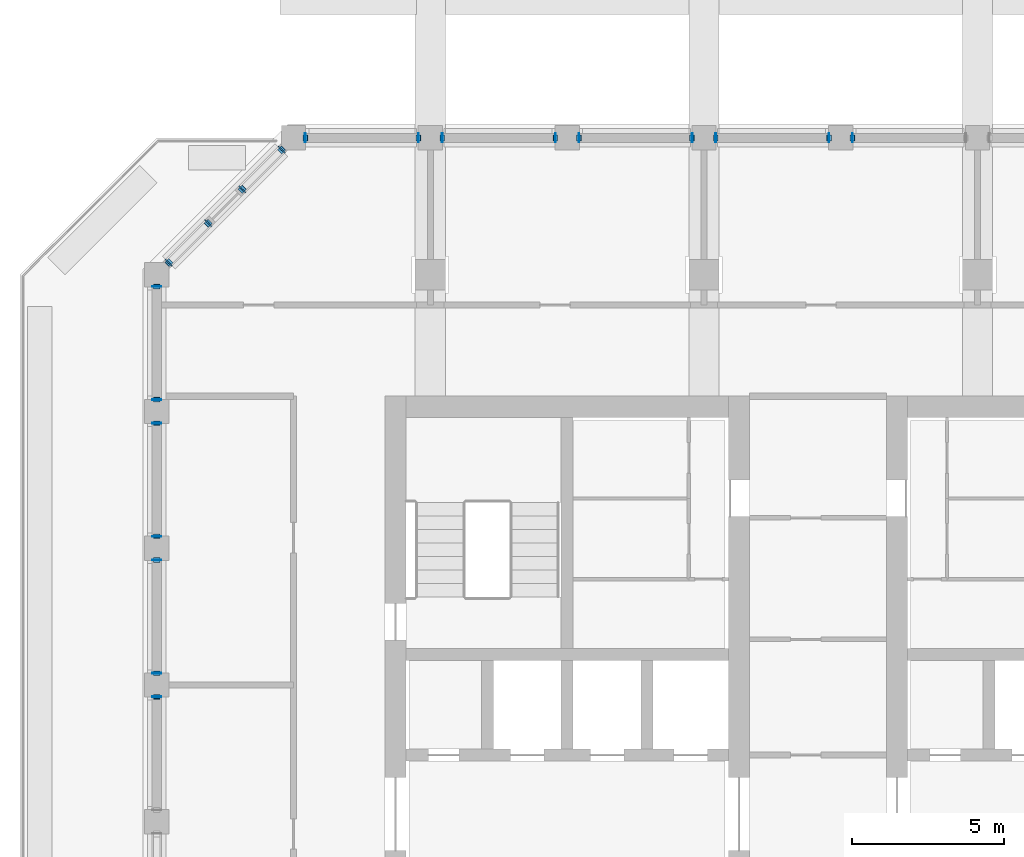
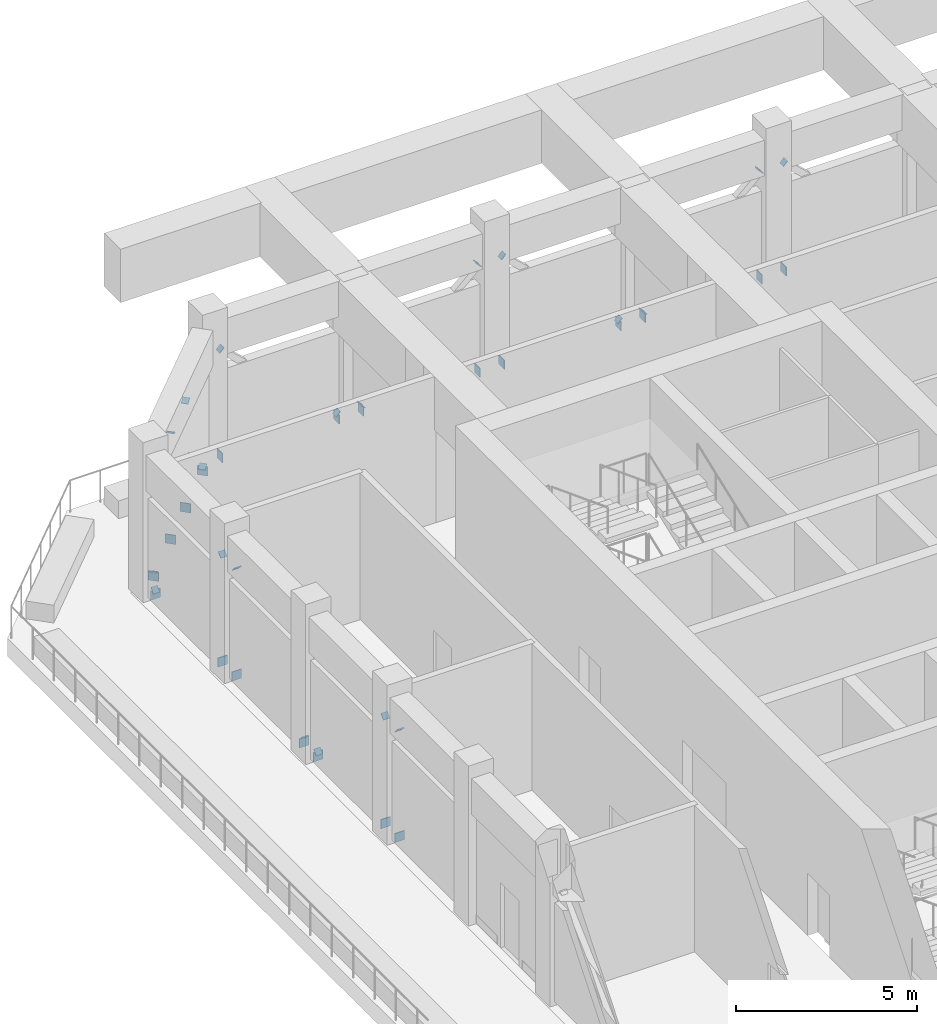
# One storey, part 12 of 19: 40 discrete accessories.
"""IFC4 building model written with IfcOpenShell, lengths in metres."""

import ifcopenshell
import ifcopenshell.guid

model = None  # the IFC model being written
_history = None  # IfcOwnerHistory: only IFC2X3 demands one
_inside = {}  # id of a spatial element -> (the spatial element, [elements in it])
_under = {}  # id of a project, library or spatial element -> (it, [spatial elements below it])
_declared = {}  # id of a project -> (the project, [libraries it declares])
_typed = {}  # id of a type object -> (the type object, [elements of that type])
_made_of = {}  # id of a material, layer set ... -> (it, [elements and type objects made of it])


def new_model(schema):
    """Start an empty IFC model of exactly this schema.

    Asked for "IFC4X3", IfcOpenShell would pick the latest addendum, in which some entities
    have other attributes; the version numbers below select the first issue.
    IFC2X3 requires an IfcOwnerHistory on every rooted entity: one is made here for all.
    """
    global model, _history
    if schema == "IFC4X3":
        model = ifcopenshell.file(schema_version=(4, 3, 0, 0))
    else:
        model = ifcopenshell.file(schema=schema)
    _inside.clear()
    _under.clear()
    _declared.clear()
    _typed.clear()
    _made_of.clear()
    _history = None
    if model.schema == "IFC2X3":
        org = make("IfcOrganization", Name="unknown")
        user = make(
            "IfcPersonAndOrganization",
            ThePerson=make("IfcPerson", FamilyName="unknown"),
            TheOrganization=org,
        )
        app = make(
            "IfcApplication",
            ApplicationDeveloper=org,
            Version="unknown",
            ApplicationFullName="unknown",
            ApplicationIdentifier="unknown",
        )
        _history = make(
            "IfcOwnerHistory",
            OwningUser=user,
            OwningApplication=app,
            ChangeAction="ADDED",
            CreationDate=0,
        )
    return model


def make(cls, **values):
    """One entity of the class cls with the attributes given. An attribute that is None is left unset."""
    return model.create_entity(
        cls, **{name: value for name, value in values.items() if value is not None}
    )


def rooted(cls, **values):
    """An entity with a GlobalId (a new one), such as an element, a storey or a relation."""
    return make(cls, GlobalId=ifcopenshell.guid.new(), OwnerHistory=_history, **values)


def si_unit(unit_type, name, prefix=None):
    """IfcSIUnit, for example si_unit("LENGTHUNIT", "METRE", prefix="MILLI")."""
    return make("IfcSIUnit", UnitType=unit_type, Prefix=prefix, Name=name)


def assignment(units):
    """IfcUnitAssignment: the units of a project."""
    return None if units is None else make("IfcUnitAssignment", Units=units)


def point(xyz):
    """IfcCartesianPoint."""
    return None if xyz is None else make("IfcCartesianPoint", Coordinates=xyz)


def direction(xyz):
    """IfcDirection."""
    return None if xyz is None else make("IfcDirection", DirectionRatios=xyz)


def frame(location, z_axis=None, x_axis=None):
    """IfcAxis2Placement3D, a coordinate frame: its origin and axes. An axis left out is left unset."""
    return make(
        "IfcAxis2Placement3D",
        Location=point(location),
        Axis=direction(z_axis),
        RefDirection=direction(x_axis),
    )


def frame_2d(location, x_axis=None):
    """IfcAxis2Placement2D, a coordinate frame in the plane: its origin and x axis."""
    return make(
        "IfcAxis2Placement2D", Location=point(location), RefDirection=direction(x_axis)
    )


def origin():
    """The frame at (0, 0, 0) with its axes left unset."""
    return frame((0.0, 0.0, 0.0))


def origin_2d():
    """The frame at (0, 0) in the plane with its x axis left unset."""
    return frame_2d((0.0, 0.0))


def place(relative_to, where):
    """IfcLocalPlacement: puts the frame where relative to a parent placement (None: the world)."""
    return make(
        "IfcLocalPlacement", PlacementRelTo=relative_to, RelativePlacement=where
    )


def context(
    kind, dimensions, precision=None, world=None, true_north=None, identifier=None
):
    """IfcGeometricRepresentationContext, for example the 3D "Model" context."""
    return make(
        "IfcGeometricRepresentationContext",
        ContextIdentifier=identifier,
        ContextType=kind,
        CoordinateSpaceDimension=dimensions,
        Precision=precision,
        WorldCoordinateSystem=world,
        TrueNorth=true_north,
    )


def subcontext(parent, identifier, kind, view, scale=None):
    """IfcGeometricRepresentationSubContext, for example "Body" below "Model"."""
    return make(
        "IfcGeometricRepresentationSubContext",
        ContextIdentifier=identifier,
        ContextType=kind,
        ParentContext=parent,
        TargetScale=scale,
        TargetView=view,
    )


def project(units=None, contexts=None):
    """IfcProject with its units and contexts."""
    return rooted(
        "IfcProject",
        Name="project",
        RepresentationContexts=contexts,
        UnitsInContext=assignment(units),
    )


def spatial(cls, under=None, at=None, **own):
    """A site, building, storey or space (cls), placed at a placement, below another one or the project."""
    s = rooted(cls, ObjectPlacement=at, **own)
    if under is not None:
        _under.setdefault(under.id(), (under, []))[1].append(s)
    return s


def profile(cls, at=None, kind="AREA", **sizes):
    """A parametric profile (cls). Its sizes go by their IFC names, for example OverallWidth=200.0."""
    return make(cls, ProfileType=kind, Position=at, **sizes)


def rectangle(**sizes):
    """IfcRectangleProfileDef."""
    return profile("IfcRectangleProfileDef", **sizes)


def extrude(swept, where, along, depth):
    """IfcExtrudedAreaSolid: the profile swept, set in the frame where, extruded along a direction by depth."""
    return make(
        "IfcExtrudedAreaSolid",
        SweptArea=swept,
        Position=where,
        ExtrudedDirection=direction(along),
        Depth=depth,
    )


def shape(context_of_items, identifier, shape_type, items):
    """IfcShapeRepresentation: the items that make up one representation, for example the "Body"."""
    return make(
        "IfcShapeRepresentation",
        ContextOfItems=context_of_items,
        RepresentationIdentifier=identifier,
        RepresentationType=shape_type,
        Items=items,
    )


def material(Name=None, Category=None):
    """IfcMaterial."""
    return make("IfcMaterial", Name=Name, Category=Category)


def material_profile(
    of_material, cross_section, Name=None, Category=None, Priority=None
):
    """IfcMaterialProfile: a cross section and its material."""
    return make(
        "IfcMaterialProfile",
        Name=Name,
        Material=of_material,
        Profile=cross_section,
        Priority=Priority,
        Category=Category,
    )


def profile_set(profiles, Name=None, composite=None):
    """IfcMaterialProfileSet."""
    return make(
        "IfcMaterialProfileSet",
        Name=Name,
        MaterialProfiles=profiles,
        CompositeProfile=composite,
    )


def made_of(thing, what):
    """Note that an element or type object is made of a material, layer set ...; save() writes the relation."""
    if what is not None:
        _made_of.setdefault(what.id(), (what, []))[1].append(thing)
    return thing


def type_object(cls, material=None, **own):
    """A type object (cls), such as IfcWallType, which elements share."""
    return made_of(rooted(cls, **own), material)


def element(
    cls,
    number,
    at=None,
    inside=None,
    cuts=None,
    type_object=None,
    material=None,
    context=None,
    identifier="Body",
    shape_type=None,
    held_by="IfcProductDefinitionShape",
    body=None,
    shapes=None,
    **own,
):
    """One element of the class cls, such as IfcWall. Its Tag is "e" and its number.

    at: its placement. inside: the storey or other place that contains it. cuts: it is an
    opening in that element (IfcRelVoidsElement). A single representation is given by context,
    identifier, shape_type and body (its items); several are given by shapes. held_by: the class
    of the entity that holds the representations. save() writes the other relations.
    """
    e = rooted(cls, Tag="e%d" % number, ObjectPlacement=at, **own)
    if body is not None:
        shapes = [shape(context, identifier, shape_type, body)]
    if shapes is not None:
        e.Representation = make(held_by, Representations=shapes)
    if inside is not None:
        _inside.setdefault(inside.id(), (inside, []))[1].append(e)
    if cuts is not None:
        rooted(
            "IfcRelVoidsElement", RelatingBuildingElement=cuts, RelatedOpeningElement=e
        )
    if type_object is not None:
        _typed.setdefault(type_object.id(), (type_object, []))[1].append(e)
    return made_of(e, material)


def aggregate(whole, parts):
    """IfcRelAggregates: a whole, such as a stair, and the parts it consists of."""
    return rooted("IfcRelAggregates", RelatingObject=whole, RelatedObjects=parts)


def save(model, path):
    """Write the relations noted so far, then the file.

    IfcRelAggregates (storeys below a building ...), IfcRelContainedInSpatialStructure (elements
    in a storey), IfcRelDefinesByType, IfcRelAssociatesMaterial and IfcRelDeclares: one each for
    every whole, place, type object, material and project.
    """
    for whole, parts in _under.values():
        aggregate(whole, parts)
    for where, things in _inside.values():
        rooted(
            "IfcRelContainedInSpatialStructure",
            RelatedElements=things,
            RelatingStructure=where,
        )
    for kind, things in _typed.values():
        rooted("IfcRelDefinesByType", RelatedObjects=things, RelatingType=kind)
    for what, things in _made_of.values():
        rooted("IfcRelAssociatesMaterial", RelatedObjects=things, RelatingMaterial=what)
    for by, libraries in _declared.values():
        rooted("IfcRelDeclares", RelatingContext=by, RelatedDefinitions=libraries)
    model.write(path)


model = new_model("IFC4")

# Units and contexts
model_context = context("Model", 3, precision=1e-05, world=origin(), true_north=direction((0.0, 1.0)))
body_context = subcontext(model_context, "Body", "Model", "MODEL_VIEW")
ifc_project = project(units=[si_unit("LENGTHUNIT", "METRE"), si_unit("AREAUNIT", "SQUARE_METRE"), si_unit("VOLUMEUNIT", "CUBIC_METRE"), si_unit("PLANEANGLEUNIT", "RADIAN"), si_unit("MASSUNIT", "GRAM", prefix="KILO")], contexts=[model_context])

# Site, building, storey
site_placement = place(None, origin())
site = spatial("IfcSite", under=ifc_project, at=site_placement, CompositionType="ELEMENT")
building_placement = place(site_placement, origin())
building = spatial("IfcBuilding", under=site, at=building_placement, Name="Corbel Stack Research Tower", CompositionType="ELEMENT")
storey_placement = place(building_placement, frame((0.0, 0.0, 226.199951171875)))
storey = spatial("IfcBuildingStorey", under=building, at=storey_placement, Name="L51", CompositionType="ELEMENT", Elevation=226.199951171875)

# Discrete accessories
ifc_material_1 = material(Name="Steel S355", Category="steel")
ifc_material_profile_1 = material_profile(ifc_material_1, rectangle(XDim=0.202880859375, YDim=0.202880859375, at=origin_2d()), Name="End plate 203x203x25")
ifc_profile_set_1 = profile_set([ifc_material_profile_1], Name="Steel S355")
discrete_accessory_type_1 = type_object("IfcDiscreteAccessoryType", Name="End plate 203x203x25", PredefinedType="ANCHORPLATE", material=ifc_profile_set_1)
for number, where, z_axis, x_axis, name in (
    (1, (4.89990234375, 27.0, 3.75), (-0.731055268243, 0.0, 0.68231825036), (0.0, -1.0, 0.0), "Belt truss end plate L51-23d2"),
    (2, (0.39990234375, 27.0, 0.30810546875), (-0.731055268243, 0.0, -0.68231825036), (0.0, -1.0, 0.0), "Belt truss end plate L51-24d1"),
    (3, (4.10009765625, 27.0, 3.75), (0.731055268243, 0.0, 0.68231825036), (0.0, 1.0, 0.0), "Belt truss end plate L51-24d2"),
    (4, (-0.39990234375, 27.0, 0.30810546875), (0.731055268243, 0.0, -0.68231825036), (0.0, 1.0, 0.0), "Belt truss end plate L51-25d1"),
    (5, (-4.10009765625, 27.0, 3.75), (-0.731055268243, 0.0, 0.68231825036), (0.0, -1.0, 0.0), "Belt truss end plate L51-25d2"),
    (6, (-8.60009765625, 27.0, 0.30810546875), (-0.731055268243, 0.0, -0.68231825036), (0.0, -1.0, 0.0), "Belt truss end plate L51-26d1"),
    (7, (-4.89990234375, 27.0, 3.75), (0.731055268243, 0.0, 0.68231825036), (0.0, 1.0, 0.0), "Belt truss end plate L51-26d2"),
    (8, (-9.39990234375, 27.0, 0.30810546875), (0.731055268243, 0.0, -0.68231825036), (0.0, 1.0, 0.0), "Belt truss end plate L51-27d1"),
    (9, (-13.10009765625, 27.0, 3.75), (-0.731055268243, 0.0, 0.68231825036), (0.0, -1.0, 0.0), "Belt truss end plate L51-27d2"),
    (10, (-13.89990234375, 26.60009765625, 0.30810546875), (0.33034628782, 0.33034628782, -0.884162123282), (-0.707106781187, 0.707106781187, 0.0), "Belt truss end plate L51-28ad1"),
    (11, (-15.184326171875, 25.315673828125, 3.75), (-0.33034628782, -0.33034628782, 0.884162123282), (0.707106781187, -0.707106781187, 0.0), "Belt truss end plate L51-28ad2"),
    (12, (-17.60009765625, 22.89990234375, 0.30810546875), (-0.33034628782, -0.33034628782, -0.884162123282), (0.707106781187, -0.707106781187, 0.0), "Belt truss end plate L51-28bd1"),
    (13, (-16.315673828125, 24.184326171875, 3.75), (0.33034628782, 0.33034628782, 0.884162123282), (-0.707106781187, 0.707106781187, 0.0), "Belt truss end plate L51-28bd2"),
    (14, (-18.0, 22.10009765625, 0.30810546875), (0.0, 0.731055268243, -0.68231825036), (-1.0, 0.0, 0.0), "Belt truss end plate L51-29d1"),
    (15, (-18.0, 18.39990234375, 3.75), (0.0, -0.731055268243, 0.68231825036), (1.0, 0.0, 0.0), "Belt truss end plate L51-29d2"),
    (16, (-18.0, 13.89990234375, 0.30810546875), (0.0, -0.731055268243, -0.68231825036), (1.0, 0.0, 0.0), "Belt truss end plate L51-30d1"),
    (17, (-18.0, 17.60009765625, 3.75), (0.0, 0.731055268243, 0.68231825036), (-1.0, 0.0, 0.0), "Belt truss end plate L51-30d2"),
    (18, (-18.0, 13.10009765625, 0.30810546875), (0.0, 0.731055268243, -0.68231825036), (-1.0, 0.0, 0.0), "Belt truss end plate L51-31d1"),
    (19, (-18.0, 9.39990234375, 3.75), (0.0, -0.731055268243, 0.68231825036), (1.0, 0.0, 0.0), "Belt truss end plate L51-31d2"),
    (20, (-18.0, 8.60009765625, 3.75), (0.0, 0.731055268243, 0.68231825036), (-1.0, 0.0, 0.0), "Belt truss end plate L51-32d2"),
):
    element("IfcDiscreteAccessory", number, at=place(storey_placement, frame(where, z_axis=z_axis, x_axis=x_axis)), inside=storey, type_object=discrete_accessory_type_1, Name=name, PredefinedType="ANCHORPLATE", context=body_context, shape_type="SweptSolid", body=[
        extrude(rectangle(XDim=0.202880859375, YDim=0.202880859375, at=origin_2d()), origin(), (0.0, 0.0, 1.0), 0.025146484375),
    ])
ifc_material_2 = material(Name="Steel S355", Category="steel")
ifc_material_profile_2 = material_profile(ifc_material_2, rectangle(XDim=0.304931640625, YDim=0.30810546875, at=origin_2d()), Name="End plate 305x308x25")
ifc_profile_set_2 = profile_set([ifc_material_profile_2], Name="Steel S355")
discrete_accessory_type_2 = type_object("IfcDiscreteAccessoryType", Name="End plate 305x308x25", PredefinedType="ANCHORPLATE", material=ifc_profile_set_2)
for number, where, z_axis, x_axis, name in (
    (21, (4.89990234375, 27.0, 0.154052734375), (-1.0, 0.0, 0.0), (0.0, -1.0, 0.0), "Belt truss end plate L51-23c2"),
    (22, (4.10009765625, 27.0, 0.154052734375), (1.0, 0.0, 0.0), (0.0, 1.0, 0.0), "Belt truss end plate L51-24c1"),
    (23, (0.39990234375, 27.0, 0.154052734375), (-1.0, 0.0, 0.0), (0.0, -1.0, 0.0), "Belt truss end plate L51-24c2"),
    (24, (-0.39990234375, 27.0, 0.154052734375), (1.0, 0.0, 0.0), (0.0, 1.0, 0.0), "Belt truss end plate L51-25c1"),
    (25, (-4.10009765625, 27.0, 0.154052734375), (-1.0, 0.0, 0.0), (0.0, -1.0, 0.0), "Belt truss end plate L51-25c2"),
    (26, (-4.89990234375, 27.0, 0.154052734375), (1.0, 0.0, 0.0), (0.0, 1.0, 0.0), "Belt truss end plate L51-26c1"),
    (27, (-8.60009765625, 27.0, 0.154052734375), (-1.0, 0.0, 0.0), (0.0, -1.0, 0.0), "Belt truss end plate L51-26c2"),
    (28, (-9.39990234375, 27.0, 0.154052734375), (1.0, 0.0, 0.0), (0.0, 1.0, 0.0), "Belt truss end plate L51-27c1"),
    (29, (-13.10009765625, 27.0, 0.154052734375), (-1.0, 0.0, 0.0), (0.0, -1.0, 0.0), "Belt truss end plate L51-27c2"),
    (30, (-13.89990234375, 26.60009765625, 0.154052734375), (0.707106781187, 0.707106781187, 0.0), (-0.707106781187, 0.707106781187, 0.0), "Belt truss end plate L51-28ac1"),
    (31, (-15.184326171875, 25.315673828125, 0.154052734375), (-0.707106781187, -0.707106781187, 0.0), (0.707106781187, -0.707106781187, 0.0), "Belt truss end plate L51-28ac2"),
    (32, (-16.315673828125, 24.184326171875, 0.154052734375), (0.707106781187, 0.707106781187, 0.0), (-0.707106781187, 0.707106781187, 0.0), "Belt truss end plate L51-28bc1"),
    (33, (-17.60009765625, 22.89990234375, 0.154052734375), (-0.707106781187, -0.707106781187, 0.0), (0.707106781187, -0.707106781187, 0.0), "Belt truss end plate L51-28bc2"),
    (34, (-18.0, 22.10009765625, 0.154052734375), (0.0, 1.0, 0.0), (-1.0, 0.0, 0.0), "Belt truss end plate L51-29c1"),
    (35, (-18.0, 18.39990234375, 0.154052734375), (0.0, -1.0, 0.0), (1.0, 0.0, 0.0), "Belt truss end plate L51-29c2"),
    (36, (-18.0, 17.60009765625, 0.154052734375), (0.0, 1.0, 0.0), (-1.0, 0.0, 0.0), "Belt truss end plate L51-30c1"),
    (37, (-18.0, 13.89990234375, 0.154052734375), (0.0, -1.0, 0.0), (1.0, 0.0, 0.0), "Belt truss end plate L51-30c2"),
    (38, (-18.0, 13.10009765625, 0.154052734375), (0.0, 1.0, 0.0), (-1.0, 0.0, 0.0), "Belt truss end plate L51-31c1"),
    (39, (-18.0, 9.39990234375, 0.154052734375), (0.0, -1.0, 0.0), (1.0, 0.0, 0.0), "Belt truss end plate L51-31c2"),
    (40, (-18.0, 8.60009765625, 0.154052734375), (0.0, 1.0, 0.0), (-1.0, 0.0, 0.0), "Belt truss end plate L51-32c1"),
):
    element("IfcDiscreteAccessory", number, at=place(storey_placement, frame(where, z_axis=z_axis, x_axis=x_axis)), inside=storey, type_object=discrete_accessory_type_2, Name=name, PredefinedType="ANCHORPLATE", context=body_context, shape_type="SweptSolid", body=[
        extrude(rectangle(XDim=0.304931640625, YDim=0.30810546875, at=origin_2d()), origin(), (0.0, 0.0, 1.0), 0.02490234375),
    ])

save(model, "model.ifc")
